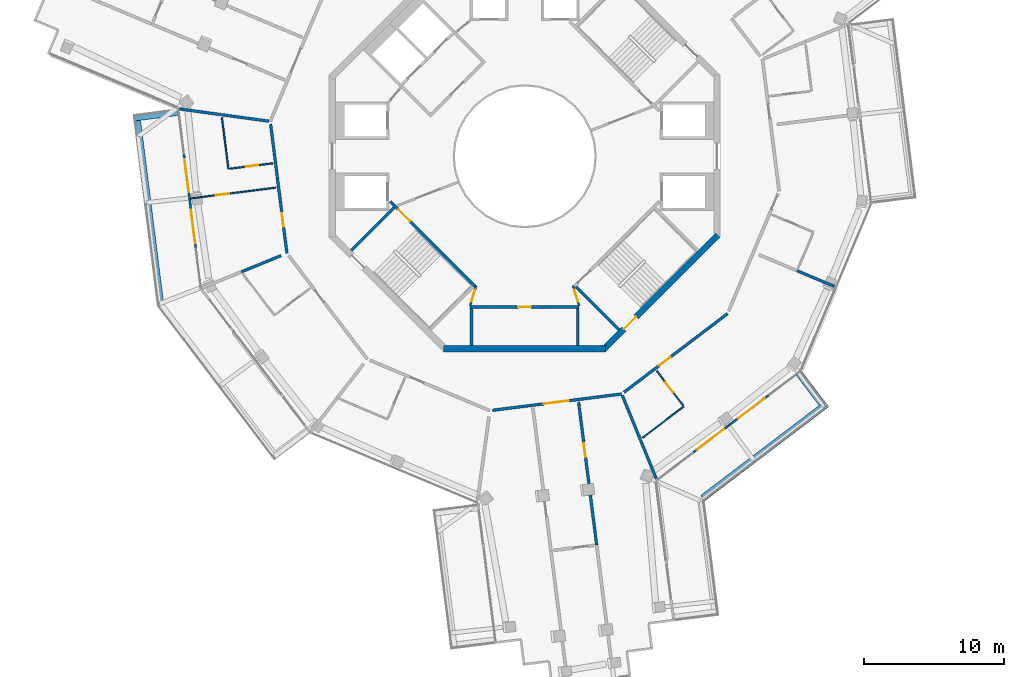
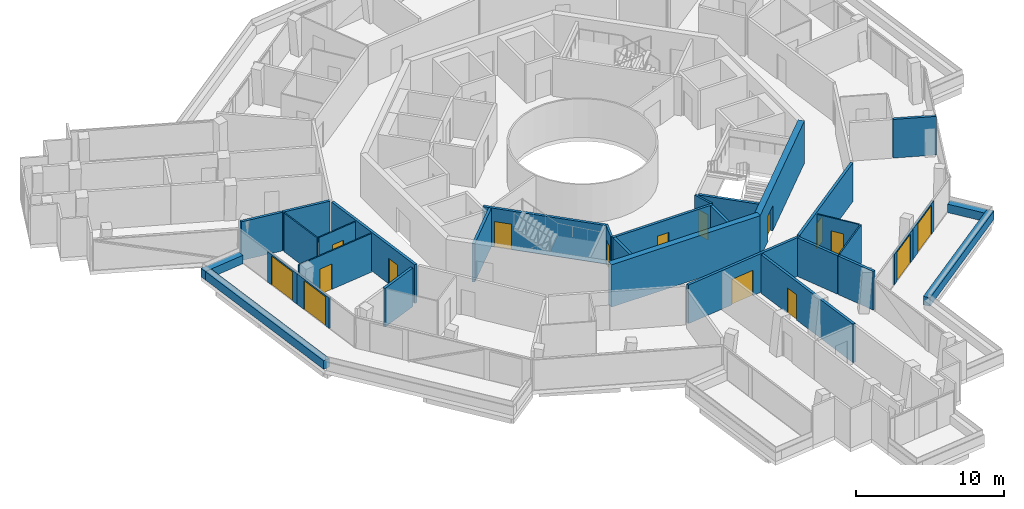
# One storey, part 19 of 26: 33 walls, 16 doors, 16 openings.
"""IFC4 building model written with IfcOpenShell, lengths in metres."""

from ifc_helpers import new_model, si_unit, direction, frame, frame_2d, origin, place, context, subcontext, project, spatial, rectangle, extrude, material, layer, layer_set, type_object, element, fill, save


model = new_model("IFC4")

# Units and contexts
model_context = context("Model", 3, precision=1e-05, world=origin(), true_north=direction((0.0, 1.0)))
body_context = subcontext(model_context, "Body", "Model", "MODEL_VIEW")
ifc_project = project(units=[si_unit("LENGTHUNIT", "METRE"), si_unit("AREAUNIT", "SQUARE_METRE"), si_unit("VOLUMEUNIT", "CUBIC_METRE"), si_unit("PLANEANGLEUNIT", "RADIAN"), si_unit("MASSUNIT", "GRAM", prefix="KILO")], contexts=[model_context])

# Site, building, storey
site_placement = place(None, origin())
site = spatial("IfcSite", under=ifc_project, at=site_placement, CompositionType="ELEMENT")
building_placement = place(site_placement, origin())
building = spatial("IfcBuilding", under=site, at=building_placement, Name="Verdalira Terraces Hotel", CompositionType="ELEMENT")
storey_placement = place(building_placement, frame((0.0, 0.0, 306.5)))
storey = spatial("IfcBuildingStorey", under=building, at=storey_placement, Name="L76", CompositionType="ELEMENT", Elevation=306.5)

# Walls
ifc_material_1 = material(Name="Concrete C40", Category="concrete")
ifc_layer_1 = layer(ifc_material_1, 0.5)
ifc_layer_set_1 = layer_set([ifc_layer_1], Name="Balcony planter trough with tree")
wall_type_1 = type_object("IfcWallType", Name="Balcony planter trough with tree", PredefinedType="SOLIDWALL", material=ifc_layer_set_1)
wall_1_placement = place(storey_placement, frame((-24.851318, 3.160156, 0.0), z_axis=(0.0, 0.0, 1.0), x_axis=(-0.992117376, -0.125312056, 0.0)))
element("IfcWall", 1, at=wall_1_placement, inside=storey, type_object=wall_type_1, Name="Balcony planter", PredefinedType="SOLIDWALL", context=body_context, shape_type="SweptSolid", body=[
    extrude(rectangle(XDim=3.198975, YDim=0.5, at=frame_2d((1.599609, 0.0))), origin(), (0.0, 0.0, 1.0), 0.699951),
])
wall_2_placement = place(storey_placement, frame((-27.74585, 2.54248, 0.0), z_axis=(0.0, 0.0, 1.0), x_axis=(0.125343492, -0.992113405, 0.0)))
element("IfcWall", 2, at=wall_2_placement, inside=storey, type_object=wall_type_1, Name="Balcony planter", PredefinedType="SOLIDWALL", context=body_context, shape_type="SweptSolid", body=[
    extrude(rectangle(XDim=13.223389, YDim=0.5, at=frame_2d((6.611816, 0.0))), origin(), (0.0, 0.0, 1.0), 0.699951),
])
wall_3_placement = place(storey_placement, frame((12.744385, -24.485107, 0.0), z_axis=(0.0, 0.0, 1.0), x_axis=(0.796534949, 0.604592487, 0.0)))
element("IfcWall", 3, at=wall_3_placement, inside=storey, type_object=wall_type_1, Name="Balcony planter", PredefinedType="SOLIDWALL", context=body_context, shape_type="SweptSolid", body=[
    extrude(rectangle(XDim=11.152344, YDim=0.5, at=frame_2d((5.576172, 0.0))), origin(), (0.0, 0.0, 1.0), 0.699951),
])
wall_4_placement = place(storey_placement, frame((21.277344, -17.694336, 0.0), z_axis=(0.0, 0.0, 1.0), x_axis=(-0.604592354, 0.79653505, 0.0)))
element("IfcWall", 4, at=wall_4_placement, inside=storey, type_object=wall_type_1, Name="Balcony planter", PredefinedType="SOLIDWALL", context=body_context, shape_type="SweptSolid", body=[
    extrude(rectangle(XDim=2.698975, YDim=0.5, at=frame_2d((1.349609, 0.0))), origin(), (0.0, 0.0, 1.0), 0.699951),
])
ifc_material_2 = material(Name="Moisture-resistant gypsum board partition")
ifc_layer_2 = layer(ifc_material_2, 0.10009765625)
ifc_layer_set_2 = layer_set([ifc_layer_2], Name="Bathroom partition 100 mm")
wall_type_2 = type_object("IfcWallType", Name="Bathroom partition 100 mm", PredefinedType="PARTITIONING", material=ifc_layer_set_2)
wall_5_placement = place(storey_placement, frame((-21.676025, 2.767334, 0.0), z_axis=(0.0, 0.0, 1.0), x_axis=(0.125300159, -0.992118879, 0.0)))
element("IfcWall", 5, at=wall_5_placement, inside=storey, type_object=wall_type_2, Name="Bathroom partition", PredefinedType="PARTITIONING", context=body_context, shape_type="SweptSolid", body=[
    extrude(rectangle(XDim=3.704102, YDim=0.100098, at=frame_2d((1.852051, 0.0))), origin(), (0.0, 0.0, 1.0), 3.189941),
])

# Wall, opening, door
wall_6_placement = place(storey_placement, frame((-23.918213, -3.021484, 0.0), z_axis=(0.0, 0.0, 1.0), x_axis=(0.992115806, 0.125324488, 0.0)))
wall_6 = element("IfcWall", 6, at=wall_6_placement, inside=storey, type_object=wall_type_2, Name="Bathroom partition", PredefinedType="PARTITIONING", context=body_context, shape_type="SweptSolid", body=[
    extrude(rectangle(XDim=6.150146, YDim=0.100098, at=frame_2d((3.075195, 0.0))), origin(), (0.0, 0.0, 1.0), 3.189941),
])
opening_1_placement = place(wall_6_placement, frame((1.800049, 0.0, 0.0)))
opening_1 = element("IfcOpeningElement", 7, at=opening_1_placement, cuts=wall_6, Name="Opening L76-106", PredefinedType="OPENING", context=body_context, shape_type="SweptSolid", body=[
    extrude(rectangle(XDim=1.0, YDim=2.100098, at=frame_2d((0.5, 1.050049))), frame((0.0, 0.060059, 0.0), z_axis=(0.0, -1.0, 0.0), x_axis=(1.0, 0.0, 0.0)), (0.0, 0.0, 1.0), 0.120117),
])
ifc_material_3 = material(Name="Timber door", Category="wood")
door_type_1 = type_object("IfcDoorType", Name="Suite internal door 1000 x 2100", OperationType="NOTDEFINED", PredefinedType="DOOR", material=ifc_material_3)
door_1_placement = place(opening_1_placement, origin())
door_1 = element("IfcDoor", 8, at=door_1_placement, inside=storey, type_object=door_type_1, Name="Suite internal door 7602", OperationType="SINGLE_SWING_LEFT", OverallHeight=2.10009765625, OverallWidth=1.0, PredefinedType="DOOR", context=body_context, shape_type="SweptSolid", body=[
    extrude(rectangle(XDim=1.0, YDim=2.100098, at=frame_2d((0.5, 1.050049))), frame((0.0, 0.024902, 0.0), z_axis=(0.0, -1.0, 0.0), x_axis=(1.0, 0.0, 0.0)), (0.0, 0.0, 1.0), 0.050049),
])
fill(opening_1, door_1)

wall_7_placement = place(storey_placement, frame((-21.112793, -0.894775, 0.0), z_axis=(0.0, 0.0, 1.0), x_axis=(0.992119572, 0.125294669, 0.0)))
wall_7 = element("IfcWall", 9, at=wall_7_placement, inside=storey, type_object=wall_type_2, Name="Bathroom partition", PredefinedType="PARTITIONING", context=body_context, shape_type="SweptSolid", body=[
    extrude(rectangle(XDim=3.100098, YDim=0.100098, at=frame_2d((1.550049, 0.0))), origin(), (0.0, 0.0, 1.0), 3.189941),
])
opening_2_placement = place(wall_7_placement, frame((1.149902, 0.0, 0.0)))
opening_2 = element("IfcOpeningElement", 10, at=opening_2_placement, cuts=wall_7, Name="Opening L76-107", PredefinedType="OPENING", context=body_context, shape_type="SweptSolid", body=[
    extrude(rectangle(XDim=0.899902, YDim=2.100098, at=frame_2d((0.449951, 1.050049))), frame((0.0, 0.060059, 0.0), z_axis=(0.0, -1.0, 0.0), x_axis=(1.0, 0.0, 0.0)), (0.0, 0.0, 1.0), 0.120117),
])
ifc_material_4 = material(Name="Timber door", Category="wood")
door_type_2 = type_object("IfcDoorType", Name="Bathroom door 900 x 2100", OperationType="NOTDEFINED", PredefinedType="DOOR", material=ifc_material_4)
door_2_placement = place(opening_2_placement, origin())
door_2 = element("IfcDoor", 11, at=door_2_placement, inside=storey, type_object=door_type_2, Name="Bathroom door 7602", OperationType="SINGLE_SWING_LEFT", OverallHeight=2.10009765625, OverallWidth=0.89990234375, PredefinedType="DOOR", context=body_context, shape_type="SweptSolid", body=[
    extrude(rectangle(XDim=0.899902, YDim=2.100098, at=frame_2d((0.449951, 1.050049))), frame((0.0, 0.024902, 0.0), z_axis=(0.0, -1.0, 0.0), x_axis=(1.0, 0.0, 0.0)), (0.0, 0.0, 1.0), 0.050049),
])
fill(opening_2, door_2)

# Wall
wall_8_placement = place(storey_placement, frame((11.391602, -17.91626, 0.0), z_axis=(0.0, 0.0, 1.0), x_axis=(-0.796506276, -0.604630261, 0.0)))
element("IfcWall", 12, at=wall_8_placement, inside=storey, type_object=wall_type_2, Name="Bathroom partition", PredefinedType="PARTITIONING", context=body_context, shape_type="SweptSolid", body=[
    extrude(rectangle(XDim=3.703857, YDim=0.100098, at=frame_2d((1.852051, 0.0))), origin(), (0.0, 0.0, 1.0), 3.189941),
])

# Wall, opening, door
wall_9_placement = place(storey_placement, frame((11.331299, -17.83667, 0.0), z_axis=(0.0, 0.0, 1.0), x_axis=(-0.604601921, 0.796527788, 0.0)))
wall_9 = element("IfcWall", 13, at=wall_9_placement, inside=storey, type_object=wall_type_2, Name="Bathroom partition", PredefinedType="PARTITIONING", context=body_context, shape_type="SweptSolid", body=[
    extrude(rectangle(XDim=3.100098, YDim=0.100098, at=frame_2d((1.550049, 0.0))), origin(), (0.0, 0.0, 1.0), 3.189941),
])
opening_3_placement = place(wall_9_placement, frame((1.149902, 0.0, 0.0)))
opening_3 = element("IfcOpeningElement", 14, at=opening_3_placement, cuts=wall_9, Name="Opening L76-117", PredefinedType="OPENING", context=body_context, shape_type="SweptSolid", body=[
    extrude(rectangle(XDim=0.899902, YDim=2.100098, at=frame_2d((0.449951, 1.050049))), frame((0.0, 0.060059, 0.0), z_axis=(0.0, -1.0, 0.0), x_axis=(1.0, 0.0, 0.0)), (0.0, 0.0, 1.0), 0.120117),
])
door_3_placement = place(opening_3_placement, origin())
door_3 = element("IfcDoor", 15, at=door_3_placement, inside=storey, type_object=door_type_2, Name="Bathroom door 7606", OperationType="SINGLE_SWING_LEFT", OverallHeight=2.10009765625, OverallWidth=0.89990234375, PredefinedType="DOOR", context=body_context, shape_type="SweptSolid", body=[
    extrude(rectangle(XDim=0.899902, YDim=2.100098, at=frame_2d((0.449951, 1.050049))), frame((0.0, 0.024902, 0.0), z_axis=(0.0, -1.0, 0.0), x_axis=(1.0, 0.0, 0.0)), (0.0, 0.0, 1.0), 0.050049),
])
fill(opening_3, door_3)

ifc_material_5 = material(Name="Concrete C50", Category="concrete")
ifc_layer_3 = layer(ifc_material_5, 0.199951171875)
ifc_layer_set_3 = layer_set([ifc_layer_3], Name="Core RC wall 200 C50")
wall_type_3 = type_object("IfcWallType", Name="Core RC wall 200 C50", PredefinedType="SOLIDWALL", material=ifc_layer_set_3)
wall_10_placement = place(storey_placement, frame((-3.899902, -10.800049, 0.0), z_axis=(0.0, 0.0, 1.0), x_axis=(1.0, 0.0, 0.0)))
wall_10 = element("IfcWall", 16, at=wall_10_placement, inside=storey, type_object=wall_type_3, Name="L76 store front wall", PredefinedType="SOLIDWALL", context=body_context, shape_type="SweptSolid", body=[
    extrude(rectangle(XDim=7.799805, YDim=0.199951, at=frame_2d((3.899902, 0.0))), origin(), (0.0, 0.0, 1.0), 3.189941),
])
opening_4_placement = place(wall_10_placement, frame((3.449951, 0.0, 0.0)))
opening_4 = element("IfcOpeningElement", 17, at=opening_4_placement, cuts=wall_10, Name="Opening L76-801", PredefinedType="OPENING", context=body_context, shape_type="SweptSolid", body=[
    extrude(rectangle(XDim=0.899902, YDim=2.100098, at=frame_2d((0.449951, 1.050049))), frame((0.0, 0.109863, 0.0), z_axis=(0.0, -1.0, 0.0), x_axis=(1.0, 0.0, 0.0)), (0.0, 0.0, 1.0), 0.219971),
])
ifc_material_6 = material(Name="Steel fire door", Category="steel")
door_type_3 = type_object("IfcDoorType", Name="Core room door 900 x 2100", OperationType="NOTDEFINED", PredefinedType="DOOR", material=ifc_material_6)
door_4_placement = place(opening_4_placement, origin())
door_4 = element("IfcDoor", 18, at=door_4_placement, inside=storey, type_object=door_type_3, Name="Store door L76 SS", OperationType="SINGLE_SWING_LEFT", OverallHeight=2.10009765625, OverallWidth=0.89990234375, PredefinedType="DOOR", context=body_context, shape_type="SweptSolid", body=[
    extrude(rectangle(XDim=0.899902, YDim=2.100098, at=frame_2d((0.449951, 1.050049))), frame((0.0, 0.024902, 0.0), z_axis=(0.0, -1.0, 0.0), x_axis=(1.0, 0.0, 0.0)), (0.0, 0.0, 1.0), 0.050049),
])
fill(opening_4, door_4)

# Walls
for number, where, z_axis, x_axis, name in (
    (19, (-3.800049, -10.899902, 0.0), (0.0, 0.0, 1.0), (0.0, -1.0, 0.0), "L76 store side wall"),
    (20, (3.800049, -10.899902, 0.0), (0.0, 0.0, 1.0), (0.0, -1.0, 0.0), "L76 store side wall"),
):
    element("IfcWall", number, at=place(storey_placement, frame(where, z_axis=z_axis, x_axis=x_axis)), inside=storey, type_object=wall_type_3, Name=name, PredefinedType="SOLIDWALL", context=body_context, shape_type="SweptSolid", body=[
        extrude(rectangle(XDim=2.650146, YDim=0.199951, at=frame_2d((1.325195, 0.0))), origin(), (0.0, 0.0, 1.0), 3.189941),
    ])

# Wall, opening, door
wall_11_placement = place(storey_placement, frame((-3.5354, -9.33374, 0.0), z_axis=(0.0, 0.0, 1.0), x_axis=(-0.707120946, 0.707092617, 0.0)))
wall_11 = element("IfcWall", 21, at=wall_11_placement, inside=storey, type_object=wall_type_3, Name="L76 stair ST2 front wall", PredefinedType="SOLIDWALL", context=body_context, shape_type="SweptSolid", body=[
    extrude(rectangle(XDim=8.61792, YDim=0.199951, at=frame_2d((4.309082, 0.0))), origin(), (0.0, 0.0, 1.0), 3.189941),
])
opening_5_placement = place(wall_11_placement, frame((6.600098, 0.0, 0.0)))
opening_5 = element("IfcOpeningElement", 22, at=opening_5_placement, cuts=wall_11, Name="Opening L76-811", PredefinedType="OPENING", context=body_context, shape_type="SweptSolid", body=[
    extrude(rectangle(XDim=1.199951, YDim=2.100098, at=frame_2d((0.600098, 1.050049))), frame((0.0, 0.109863, 0.0), z_axis=(0.0, -1.0, 0.0), x_axis=(1.0, 0.0, 0.0)), (0.0, 0.0, 1.0), 0.219971),
])
ifc_material_7 = material(Name="Steel fire door", Category="steel")
door_type_4 = type_object("IfcDoorType", Name="Stair door 1200 x 2100", OperationType="NOTDEFINED", PredefinedType="DOOR", material=ifc_material_7)
door_5_placement = place(opening_5_placement, origin())
door_5 = element("IfcDoor", 23, at=door_5_placement, inside=storey, type_object=door_type_4, Name="Stair door ST2 L76", OperationType="SINGLE_SWING_RIGHT", OverallHeight=2.10009765625, OverallWidth=1.199951171875, PredefinedType="DOOR", context=body_context, shape_type="SweptSolid", body=[
    extrude(rectangle(XDim=1.199951, YDim=2.100098, at=frame_2d((0.600098, 1.050049))), frame((0.0, 0.024902, 0.0), z_axis=(0.0, -1.0, 0.0), x_axis=(1.0, 0.0, 0.0)), (0.0, 0.0, 1.0), 0.050049),
])
fill(opening_5, door_5)

# Walls
for number, where, z_axis, x_axis, name in (
    (24, (-9.33374, -3.677002, 0.0), (0.0, 0.0, 1.0), (-0.707106781, -0.707106781, 0.0), "L76 stair ST2 end wall 1"),
    (25, (3.677002, -9.33374, 0.0), (0.0, 0.0, 1.0), (0.707106781, -0.707106781, 0.0), "L76 stair ST3 end wall 1"),
):
    element("IfcWall", number, at=place(storey_placement, frame(where, z_axis=z_axis, x_axis=x_axis)), inside=storey, type_object=wall_type_3, Name=name, PredefinedType="SOLIDWALL", context=body_context, shape_type="SweptSolid", body=[
        extrude(rectangle(XDim=4.350098, YDim=0.199951, at=frame_2d((2.175049, 0.0))), origin(), (0.0, 0.0, 1.0), 3.189941),
    ])

# Wall, opening, door
ifc_material_8 = material(Name="Gypsum board partition")
ifc_layer_4 = layer(ifc_material_8, 0.14990234375)
ifc_layer_set_4 = layer_set([ifc_layer_4], Name="Core partition 150 mm")
wall_type_4 = type_object("IfcWallType", Name="Core partition 150 mm", PredefinedType="PARTITIONING", material=ifc_layer_set_4)
wall_12_placement = place(storey_placement, frame((-3.464844, -9.263184, 0.0), z_axis=(0.0, 0.0, 1.0), x_axis=(-0.289808785, -0.957084567, 0.0)))
wall_12 = element("IfcWall", 26, at=wall_12_placement, inside=storey, type_object=wall_type_4, Name="Room partition L76", PredefinedType="PARTITIONING", context=body_context, shape_type="SweptSolid", body=[
    extrude(rectangle(XDim=1.501221, YDim=0.149902, at=frame_2d((0.750488, 0.0))), origin(), (0.0, 0.0, 1.0), 3.189941),
])
opening_6_placement = place(wall_12_placement, frame((0.300781, 0.0, 0.0)))
opening_6 = element("IfcOpeningElement", 27, at=opening_6_placement, cuts=wall_12, Name="Opening L76-822", PredefinedType="OPENING", context=body_context, shape_type="SweptSolid", body=[
    extrude(rectangle(XDim=0.899902, YDim=2.100098, at=frame_2d((0.449951, 1.050049))), frame((0.0, 0.084961, 0.0), z_axis=(0.0, -1.0, 0.0), x_axis=(1.0, 0.0, 0.0)), (0.0, 0.0, 1.0), 0.169922),
])
door_6_placement = place(opening_6_placement, origin())
door_6 = element("IfcDoor", 28, at=door_6_placement, inside=storey, type_object=door_type_3, Name="Door L76 room5", OperationType="SINGLE_SWING_LEFT", OverallHeight=2.10009765625, OverallWidth=0.89990234375, PredefinedType="DOOR", context=body_context, shape_type="SweptSolid", body=[
    extrude(rectangle(XDim=0.899902, YDim=2.100098, at=frame_2d((0.449951, 1.050049))), frame((0.0, 0.024902, 0.0), z_axis=(0.0, -1.0, 0.0), x_axis=(1.0, 0.0, 0.0)), (0.0, 0.0, 1.0), 0.050049),
])
fill(opening_6, door_6)

wall_13_placement = place(storey_placement, frame((3.899902, -10.699951, 0.0), z_axis=(0.0, 0.0, 1.0), x_axis=(-0.289808785, 0.957084567, 0.0)))
wall_13 = element("IfcWall", 29, at=wall_13_placement, inside=storey, type_object=wall_type_4, Name="Room partition L76", PredefinedType="PARTITIONING", context=body_context, shape_type="SweptSolid", body=[
    extrude(rectangle(XDim=1.501221, YDim=0.149902, at=frame_2d((0.750488, 0.0))), origin(), (0.0, 0.0, 1.0), 3.189941),
])
opening_7_placement = place(wall_13_placement, frame((0.300781, 0.0, 0.0)))
opening_7 = element("IfcOpeningElement", 30, at=opening_7_placement, cuts=wall_13, Name="Opening L76-823", PredefinedType="OPENING", context=body_context, shape_type="SweptSolid", body=[
    extrude(rectangle(XDim=0.899902, YDim=2.100098, at=frame_2d((0.449951, 1.050049))), frame((0.0, 0.084961, 0.0), z_axis=(0.0, -1.0, 0.0), x_axis=(1.0, 0.0, 0.0)), (0.0, 0.0, 1.0), 0.169922),
])
door_7_placement = place(opening_7_placement, origin())
door_7 = element("IfcDoor", 31, at=door_7_placement, inside=storey, type_object=door_type_3, Name="Door L76 room6", OperationType="SINGLE_SWING_LEFT", OverallHeight=2.10009765625, OverallWidth=0.89990234375, PredefinedType="DOOR", context=body_context, shape_type="SweptSolid", body=[
    extrude(rectangle(XDim=0.899902, YDim=2.100098, at=frame_2d((0.449951, 1.050049))), frame((0.0, 0.024902, 0.0), z_axis=(0.0, -1.0, 0.0), x_axis=(1.0, 0.0, 0.0)), (0.0, 0.0, 1.0), 0.050049),
])
fill(opening_7, door_7)

# Wall
ifc_material_9 = material(Name="Concrete C50", Category="concrete")
ifc_layer_5 = layer(ifc_material_9, 0.449951171875)
ifc_layer_set_5 = layer_set([ifc_layer_5], Name="Core wall 450 C50")
wall_type_5 = type_object("IfcWallType", Name="Core wall 450 C50", PredefinedType="SHEAR", material=ifc_layer_set_5)
wall_14_placement = place(storey_placement, frame((-5.799072, -13.774902, 0.0), z_axis=(0.0, 0.0, 1.0), x_axis=(1.0, 0.0, 0.0)))
element("IfcWall", 32, at=wall_14_placement, inside=storey, type_object=wall_type_5, Name="Core wall CW-L76-7", PredefinedType="SHEAR", context=body_context, shape_type="SweptSolid", body=[
    extrude(rectangle(XDim=11.598145, YDim=0.449951, at=frame_2d((5.799072, 0.0))), origin(), (0.0, 0.0, 1.0), 3.5),
])

# Wall, opening, door
wall_15_placement = place(storey_placement, frame((5.639893, -13.84082, 0.0), z_axis=(0.0, 0.0, 1.0), x_axis=(0.707106781, 0.707106781, 0.0)))
wall_15 = element("IfcWall", 33, at=wall_15_placement, inside=storey, type_object=wall_type_5, Name="Core wall CW-L76-8", PredefinedType="SHEAR", context=body_context, shape_type="SweptSolid", body=[
    extrude(rectangle(XDim=11.5979, YDim=0.449951, at=frame_2d((5.798828, 0.0))), origin(), (0.0, 0.0, 1.0), 3.5),
])
opening_8_placement = place(wall_15_placement, frame((2.099121, 0.0, 0.0)))
opening_8 = element("IfcOpeningElement", 34, at=opening_8_placement, cuts=wall_15, Name="Opening L76-818", PredefinedType="OPENING", context=body_context, shape_type="SweptSolid", body=[
    extrude(rectangle(XDim=1.199951, YDim=2.100098, at=frame_2d((0.600098, 1.050049))), frame((0.0, 0.234863, 0.0), z_axis=(0.0, -1.0, 0.0), x_axis=(1.0, 0.0, 0.0)), (0.0, 0.0, 1.0), 0.469971),
])
door_8_placement = place(opening_8_placement, origin())
door_8 = element("IfcDoor", 35, at=door_8_placement, inside=storey, type_object=door_type_4, Name="Stair exit door ST3 L76", OperationType="SINGLE_SWING_LEFT", OverallHeight=2.10009765625, OverallWidth=1.199951171875, PredefinedType="DOOR", context=body_context, shape_type="SweptSolid", body=[
    extrude(rectangle(XDim=1.199951, YDim=2.100098, at=frame_2d((0.600098, 1.050049))), frame((0.0, 0.024902, 0.0), z_axis=(0.0, -1.0, 0.0), x_axis=(1.0, 0.0, 0.0)), (0.0, 0.0, 1.0), 0.050049),
])
fill(opening_8, door_8)

# Walls
ifc_material_10 = material(Name="Fire-rated gypsum board wall")
ifc_layer_6 = layer(ifc_material_10, 0.199951171875)
ifc_layer_set_6 = layer_set([ifc_layer_6], Name="Demising wall 200 mm")
wall_type_6 = type_object("IfcWallType", Name="Demising wall 200 mm", PredefinedType="SOLIDWALL", material=ifc_layer_set_6)
wall_16_placement = place(storey_placement, frame((-21.749512, 2.979248, 0.0), z_axis=(0.0, 0.0, 1.0), x_axis=(-0.99074859, 0.135710101, 0.0)))
element("IfcWall", 36, at=wall_16_placement, inside=storey, type_object=wall_type_6, Name="Demising wall", PredefinedType="SOLIDWALL", context=body_context, shape_type="SweptSolid", body=[
    extrude(rectangle(XDim=3.011475, YDim=0.199951, at=frame_2d((1.505859, 0.0))), origin(), (0.0, 0.0, 1.0), 3.189941),
])
wall_17_placement = place(storey_placement, frame((-18.317139, 2.509277, 0.0), z_axis=(0.0, 0.0, 1.0), x_axis=(-0.990751341, 0.135690013, 0.0)))
element("IfcWall", 37, at=wall_17_placement, inside=storey, type_object=wall_type_6, Name="Demising wall", PredefinedType="SOLIDWALL", context=body_context, shape_type="SweptSolid", body=[
    extrude(rectangle(XDim=3.418701, YDim=0.199951, at=frame_2d((1.709473, 0.0))), origin(), (0.0, 0.0, 1.0), 3.189941),
])
wall_18_placement = place(storey_placement, frame((-17.436035, -7.115479, 0.0), z_axis=(0.0, 0.0, 1.0), x_axis=(-0.925880525, -0.377816427, 0.0)))
element("IfcWall", 38, at=wall_18_placement, inside=storey, type_object=wall_type_6, Name="Demising wall", PredefinedType="SOLIDWALL", context=body_context, shape_type="SweptSolid", body=[
    extrude(rectangle(XDim=3.074463, YDim=0.199951, at=frame_2d((1.537109, 0.0))), origin(), (0.0, 0.0, 1.0), 3.189941),
])

# Wall, opening, door
wall_19_placement = place(storey_placement, frame((3.861816, -17.613281, 0.0), z_axis=(0.0, 0.0, 1.0), x_axis=(0.125341325, -0.992113679, 0.0)))
wall_19 = element("IfcWall", 39, at=wall_19_placement, inside=storey, type_object=wall_type_6, Name="Demising wall", PredefinedType="SOLIDWALL", context=body_context, shape_type="SweptSolid", body=[
    extrude(rectangle(XDim=10.302002, YDim=0.199951, at=frame_2d((5.150879, 0.0))), origin(), (0.0, 0.0, 1.0), 3.189941),
])
opening_9_placement = place(wall_19_placement, frame((2.949951, 0.0, 0.0)))
opening_9 = element("IfcOpeningElement", 40, at=opening_9_placement, cuts=wall_19, Name="Opening L76-114", PredefinedType="OPENING", context=body_context, shape_type="SweptSolid", body=[
    extrude(rectangle(XDim=1.0, YDim=2.100098, at=frame_2d((0.5, 1.050049))), frame((0.0, 0.109863, 0.0), z_axis=(0.0, -1.0, 0.0), x_axis=(1.0, 0.0, 0.0)), (0.0, 0.0, 1.0), 0.219971),
])
ifc_material_11 = material(Name="Timber fire door", Category="wood")
door_type_5 = type_object("IfcDoorType", Name="Public room door 1000 x 2100", OperationType="NOTDEFINED", PredefinedType="DOOR", material=ifc_material_11)
door_9_placement = place(opening_9_placement, origin())
door_9 = element("IfcDoor", 41, at=door_9_placement, inside=storey, type_object=door_type_5, Name="Public room door 7605", OperationType="SINGLE_SWING_LEFT", OverallHeight=2.10009765625, OverallWidth=1.0, PredefinedType="DOOR", context=body_context, shape_type="SweptSolid", body=[
    extrude(rectangle(XDim=1.0, YDim=2.100098, at=frame_2d((0.5, 1.050049))), frame((0.0, 0.024902, 0.0), z_axis=(0.0, -1.0, 0.0), x_axis=(1.0, 0.0, 0.0)), (0.0, 0.0, 1.0), 0.050049),
])
fill(opening_9, door_9)

# Walls
wall_20_placement = place(storey_placement, frame((6.985596, -17.11792, 0.0), z_axis=(0.0, 0.0, 1.0), x_axis=(0.377834523, -0.925873141, 0.0)))
element("IfcWall", 42, at=wall_20_placement, inside=storey, type_object=wall_type_6, Name="Demising wall", PredefinedType="SOLIDWALL", context=body_context, shape_type="SweptSolid", body=[
    extrude(rectangle(XDim=3.418213, YDim=0.199951, at=frame_2d((1.708984, 0.0))), origin(), (0.0, 0.0, 1.0), 3.189941),
])
wall_21_placement = place(storey_placement, frame((8.294678, -20.325195, 0.0), z_axis=(0.0, 0.0, 1.0), x_axis=(0.377783538, -0.925893946, 0.0)))
element("IfcWall", 43, at=wall_21_placement, inside=storey, type_object=wall_type_6, Name="Demising wall", PredefinedType="SOLIDWALL", context=body_context, shape_type="SweptSolid", body=[
    extrude(rectangle(XDim=3.011475, YDim=0.199951, at=frame_2d((1.505859, 0.0))), origin(), (0.0, 0.0, 1.0), 3.189941),
])
wall_22_placement = place(storey_placement, frame((19.503174, -8.198486, 0.0), z_axis=(0.0, 0.0, 1.0), x_axis=(0.92188582, -0.387461655, 0.0)))
element("IfcWall", 44, at=wall_22_placement, inside=storey, type_object=wall_type_6, Name="Demising wall", PredefinedType="SOLIDWALL", context=body_context, shape_type="SweptSolid", body=[
    extrude(rectangle(XDim=2.952148, YDim=0.199951, at=frame_2d((1.476074, 0.0))), origin(), (0.0, 0.0, 1.0), 3.189941),
])

# Wall, opening, door
ifc_material_12 = material(Name="Fire-rated gypsum board wall")
ifc_layer_7 = layer(ifc_material_12, 0.199951171875)
ifc_layer_set_7 = layer_set([ifc_layer_7], Name="Guest corridor wall 200 mm")
wall_type_7 = type_object("IfcWallType", Name="Guest corridor wall 200 mm", PredefinedType="SOLIDWALL", material=ifc_layer_set_7)
wall_23_placement = place(storey_placement, frame((-17.021973, -6.946533, 0.0), z_axis=(0.0, 0.0, 1.0), x_axis=(-0.125337611, 0.992114148, 0.0)))
wall_23 = element("IfcWall", 45, at=wall_23_placement, inside=storey, type_object=wall_type_7, Name="Guest corridor wall", PredefinedType="SOLIDWALL", context=body_context, shape_type="SweptSolid", body=[
    extrude(rectangle(XDim=9.31665, YDim=0.199951, at=frame_2d((4.658203, 0.0))), origin(), (0.0, 0.0, 1.0), 3.189941),
])
opening_10_placement = place(wall_23_placement, frame((1.899902, 0.0, 0.0)))
opening_10 = element("IfcOpeningElement", 46, at=opening_10_placement, cuts=wall_23, Name="Opening L76-105", PredefinedType="OPENING", context=body_context, shape_type="SweptSolid", body=[
    extrude(rectangle(XDim=1.0, YDim=2.100098, at=frame_2d((0.5, 1.050049))), frame((0.0, 0.109863, 0.0), z_axis=(0.0, -1.0, 0.0), x_axis=(1.0, 0.0, 0.0)), (0.0, 0.0, 1.0), 0.219971),
])
ifc_material_13 = material(Name="Timber fire door", Category="wood")
door_type_6 = type_object("IfcDoorType", Name="Guest entry door 1000 x 2100", OperationType="NOTDEFINED", PredefinedType="DOOR", material=ifc_material_13)
door_10_placement = place(opening_10_placement, origin())
door_10 = element("IfcDoor", 47, at=door_10_placement, inside=storey, type_object=door_type_6, Name="Guest entry door 7602", OperationType="SINGLE_SWING_LEFT", OverallHeight=2.10009765625, OverallWidth=1.0, PredefinedType="DOOR", context=body_context, shape_type="SweptSolid", body=[
    extrude(rectangle(XDim=1.0, YDim=2.100098, at=frame_2d((0.5, 1.050049))), frame((0.0, 0.024902, 0.0), z_axis=(0.0, -1.0, 0.0), x_axis=(1.0, 0.0, 0.0)), (0.0, 0.0, 1.0), 0.050049),
])
fill(opening_10, door_10)

wall_24_placement = place(storey_placement, frame((6.946533, -17.021973, 0.0), z_axis=(0.0, 0.0, 1.0), x_axis=(-0.992114148, -0.125337611, 0.0)))
wall_24 = element("IfcWall", 48, at=wall_24_placement, inside=storey, type_object=wall_type_7, Name="Guest corridor wall", PredefinedType="SOLIDWALL", context=body_context, shape_type="SweptSolid", body=[
    extrude(rectangle(XDim=9.31665, YDim=0.199951, at=frame_2d((4.658203, 0.0))), origin(), (0.0, 0.0, 1.0), 3.189941),
])
opening_11_placement = place(wall_24_placement, frame((3.834473, 0.0, 0.0)))
opening_11 = element("IfcOpeningElement", 49, at=opening_11_placement, cuts=wall_24, Name="Opening L76-112", PredefinedType="OPENING", context=body_context, shape_type="SweptSolid", body=[
    extrude(rectangle(XDim=1.800049, YDim=2.100098, at=frame_2d((0.899902, 1.050049))), frame((0.0, 0.109863, 0.0), z_axis=(0.0, -1.0, 0.0), x_axis=(1.0, 0.0, 0.0)), (0.0, 0.0, 1.0), 0.219971),
])
ifc_material_14 = material(Name="Timber fire door", Category="wood")
door_type_7 = type_object("IfcDoorType", Name="Public room double door 1800 x 2100", OperationType="NOTDEFINED", PredefinedType="DOOR", material=ifc_material_14)
door_11_placement = place(opening_11_placement, origin())
door_11 = element("IfcDoor", 50, at=door_11_placement, inside=storey, type_object=door_type_7, Name="Public room double door 7605", OperationType="DOUBLE_DOOR_SINGLE_SWING", OverallHeight=2.10009765625, OverallWidth=1.800048828125, PredefinedType="DOOR", context=body_context, shape_type="SweptSolid", body=[
    extrude(rectangle(XDim=1.800049, YDim=2.100098, at=frame_2d((0.899902, 1.050049))), frame((0.0, 0.024902, 0.0), z_axis=(0.0, -1.0, 0.0), x_axis=(1.0, 0.0, 0.0)), (0.0, 0.0, 1.0), 0.050049),
])
fill(opening_11, door_11)

wall_25_placement = place(storey_placement, frame((14.526367, -11.268555, 0.0), z_axis=(0.0, 0.0, 1.0), x_axis=(-0.796533725, -0.604594099, 0.0)))
wall_25 = element("IfcWall", 51, at=wall_25_placement, inside=storey, type_object=wall_type_7, Name="Guest corridor wall", PredefinedType="SOLIDWALL", context=body_context, shape_type="SweptSolid", body=[
    extrude(rectangle(XDim=9.315918, YDim=0.199951, at=frame_2d((4.657959, 0.0))), origin(), (0.0, 0.0, 1.0), 3.189941),
])
opening_12_placement = place(wall_25_placement, frame((5.149902, 0.0, 0.0)))
opening_12 = element("IfcOpeningElement", 52, at=opening_12_placement, cuts=wall_25, Name="Opening L76-116", PredefinedType="OPENING", context=body_context, shape_type="SweptSolid", body=[
    extrude(rectangle(XDim=1.0, YDim=2.100098, at=frame_2d((0.5, 1.050049))), frame((0.0, 0.109863, 0.0), z_axis=(0.0, -1.0, 0.0), x_axis=(1.0, 0.0, 0.0)), (0.0, 0.0, 1.0), 0.219971),
])
door_12_placement = place(opening_12_placement, origin())
door_12 = element("IfcDoor", 53, at=door_12_placement, inside=storey, type_object=door_type_6, Name="Guest entry door 7606", OperationType="SINGLE_SWING_LEFT", OverallHeight=2.10009765625, OverallWidth=1.0, PredefinedType="DOOR", context=body_context, shape_type="SweptSolid", body=[
    extrude(rectangle(XDim=1.0, YDim=2.100098, at=frame_2d((0.5, 1.050049))), frame((0.0, 0.024902, 0.0), z_axis=(0.0, -1.0, 0.0), x_axis=(1.0, 0.0, 0.0)), (0.0, 0.0, 1.0), 0.050049),
])
fill(opening_12, door_12)

ifc_material_15 = material(Name="Terracotta cladding", Category="masonry")
ifc_layer_8 = layer(ifc_material_15, 0.14990234375)
ifc_layer_set_8 = layer_set([ifc_layer_8], Name="Terracotta door pier 150")
wall_type_8 = type_object("IfcWallType", Name="Terracotta door pier 150", PredefinedType="SOLIDWALL", material=ifc_layer_set_8)
wall_26_placement = place(storey_placement, frame((-24.399902, 0.193359, 0.0), z_axis=(0.0, 0.0, 1.0), x_axis=(0.125301284, -0.992118737, 0.0)))
wall_26 = element("IfcWall", 54, at=wall_26_placement, inside=storey, type_object=wall_type_8, Name="Terracotta door pier", PredefinedType="SOLIDWALL", context=body_context, shape_type="SweptSolid", body=[
    extrude(rectangle(XDim=3.25, YDim=0.149902, at=frame_2d((1.625, 0.0))), origin(), (0.0, 0.0, 1.0), 2.524902),
])
opening_13_placement = place(wall_26_placement, frame((0.399902, 0.0, 0.0)))
opening_13 = element("IfcOpeningElement", 55, at=opening_13_placement, cuts=wall_26, Name="Opening L76-B01", PredefinedType="OPENING", context=body_context, shape_type="SweptSolid", body=[
    extrude(rectangle(XDim=2.399902, YDim=2.399902, at=frame_2d((1.199951, 1.199951))), frame((0.0, 0.084961, 0.0), z_axis=(0.0, -1.0, 0.0), x_axis=(1.0, 0.0, 0.0)), (0.0, 0.0, 1.0), 0.169922),
])
ifc_material_16 = material(Name="Clear glass", Category="glass")
door_type_8 = type_object("IfcDoorType", Name="Balcony sliding door 2400x2400", OperationType="NOTDEFINED", PredefinedType="DOOR", material=ifc_material_16)
door_13_placement = place(opening_13_placement, origin())
door_13 = element("IfcDoor", 56, at=door_13_placement, inside=storey, type_object=door_type_8, Name="Balcony sliding door", OperationType="SLIDING_TO_RIGHT", OverallHeight=2.39990234375, OverallWidth=2.39990234375, PredefinedType="DOOR", context=body_context, shape_type="SweptSolid", body=[
    extrude(rectangle(XDim=2.399902, YDim=2.399902, at=frame_2d((1.199951, 1.199951))), frame((0.0, 0.024902, 0.0), z_axis=(0.0, -1.0, 0.0), x_axis=(1.0, 0.0, 0.0)), (0.0, 0.0, 1.0), 0.050049),
])
fill(opening_13, door_13)

wall_27_placement = place(storey_placement, frame((-23.992676, -3.031006, 0.0), z_axis=(0.0, 0.0, 1.0), x_axis=(0.125340977, -0.992113723, 0.0)))
wall_27 = element("IfcWall", 57, at=wall_27_placement, inside=storey, type_object=wall_type_8, Name="Terracotta door pier", PredefinedType="SOLIDWALL", context=body_context, shape_type="SweptSolid", body=[
    extrude(rectangle(XDim=3.611328, YDim=0.149902, at=frame_2d((1.805664, 0.0))), origin(), (0.0, 0.0, 1.0), 2.524902),
])
opening_14_placement = place(wall_27_placement, frame((0.811279, 0.0, 0.0)))
opening_14 = element("IfcOpeningElement", 58, at=opening_14_placement, cuts=wall_27, Name="Opening L76-B02", PredefinedType="OPENING", context=body_context, shape_type="SweptSolid", body=[
    extrude(rectangle(XDim=2.399902, YDim=2.399902, at=frame_2d((1.199951, 1.199951))), frame((0.0, 0.084961, 0.0), z_axis=(0.0, -1.0, 0.0), x_axis=(1.0, 0.0, 0.0)), (0.0, 0.0, 1.0), 0.169922),
])
door_14_placement = place(opening_14_placement, origin())
door_14 = element("IfcDoor", 59, at=door_14_placement, inside=storey, type_object=door_type_8, Name="Balcony sliding door", OperationType="SLIDING_TO_LEFT", OverallHeight=2.39990234375, OverallWidth=2.39990234375, PredefinedType="DOOR", context=body_context, shape_type="SweptSolid", body=[
    extrude(rectangle(XDim=2.399902, YDim=2.399902, at=frame_2d((1.199951, 1.199951))), frame((0.0, 0.024902, 0.0), z_axis=(0.0, -1.0, 0.0), x_axis=(1.0, 0.0, 0.0)), (0.0, 0.0, 1.0), 0.050049),
])
fill(opening_14, door_14)

wall_28_placement = place(storey_placement, frame((12.032471, -21.227783, 0.0), z_axis=(0.0, 0.0, 1.0), x_axis=(0.796525363, 0.604605116, 0.0)))
wall_28 = element("IfcWall", 60, at=wall_28_placement, inside=storey, type_object=wall_type_8, Name="Terracotta door pier", PredefinedType="SOLIDWALL", context=body_context, shape_type="SweptSolid", body=[
    extrude(rectangle(XDim=3.250244, YDim=0.149902, at=frame_2d((1.625, 0.0))), origin(), (0.0, 0.0, 1.0), 2.524902),
])
opening_15_placement = place(wall_28_placement, frame((0.399902, 0.0, 0.0)))
opening_15 = element("IfcOpeningElement", 61, at=opening_15_placement, cuts=wall_28, Name="Opening L76-B08", PredefinedType="OPENING", context=body_context, shape_type="SweptSolid", body=[
    extrude(rectangle(XDim=2.399902, YDim=2.399902, at=frame_2d((1.199951, 1.199951))), frame((0.0, 0.084961, 0.0), z_axis=(0.0, -1.0, 0.0), x_axis=(1.0, 0.0, 0.0)), (0.0, 0.0, 1.0), 0.169922),
])
door_15_placement = place(opening_15_placement, origin())
door_15 = element("IfcDoor", 62, at=door_15_placement, inside=storey, type_object=door_type_8, Name="Balcony sliding door", OperationType="SLIDING_TO_RIGHT", OverallHeight=2.39990234375, OverallWidth=2.39990234375, PredefinedType="DOOR", context=body_context, shape_type="SweptSolid", body=[
    extrude(rectangle(XDim=2.399902, YDim=2.399902, at=frame_2d((1.199951, 1.199951))), frame((0.0, 0.024902, 0.0), z_axis=(0.0, -1.0, 0.0), x_axis=(1.0, 0.0, 0.0)), (0.0, 0.0, 1.0), 0.050049),
])
fill(opening_15, door_15)

wall_29_placement = place(storey_placement, frame((14.621338, -19.262695, 0.0), z_axis=(0.0, 0.0, 1.0), x_axis=(0.796530724, 0.604598053, 0.0)))
wall_29 = element("IfcWall", 63, at=wall_29_placement, inside=storey, type_object=wall_type_8, Name="Terracotta door pier", PredefinedType="SOLIDWALL", context=body_context, shape_type="SweptSolid", body=[
    extrude(rectangle(XDim=3.611328, YDim=0.149902, at=frame_2d((1.805664, 0.0))), origin(), (0.0, 0.0, 1.0), 2.524902),
])
opening_16_placement = place(wall_29_placement, frame((0.811279, 0.0, 0.0)))
opening_16 = element("IfcOpeningElement", 64, at=opening_16_placement, cuts=wall_29, Name="Opening L76-B09", PredefinedType="OPENING", context=body_context, shape_type="SweptSolid", body=[
    extrude(rectangle(XDim=2.399902, YDim=2.399902, at=frame_2d((1.199951, 1.199951))), frame((0.0, 0.084961, 0.0), z_axis=(0.0, -1.0, 0.0), x_axis=(1.0, 0.0, 0.0)), (0.0, 0.0, 1.0), 0.169922),
])
door_16_placement = place(opening_16_placement, origin())
door_16 = element("IfcDoor", 65, at=door_16_placement, inside=storey, type_object=door_type_8, Name="Balcony sliding door", OperationType="SLIDING_TO_LEFT", OverallHeight=2.39990234375, OverallWidth=2.39990234375, PredefinedType="DOOR", context=body_context, shape_type="SweptSolid", body=[
    extrude(rectangle(XDim=2.399902, YDim=2.399902, at=frame_2d((1.199951, 1.199951))), frame((0.0, 0.024902, 0.0), z_axis=(0.0, -1.0, 0.0), x_axis=(1.0, 0.0, 0.0)), (0.0, 0.0, 1.0), 0.050049),
])
fill(opening_16, door_16)

save(model, "model.ifc")
